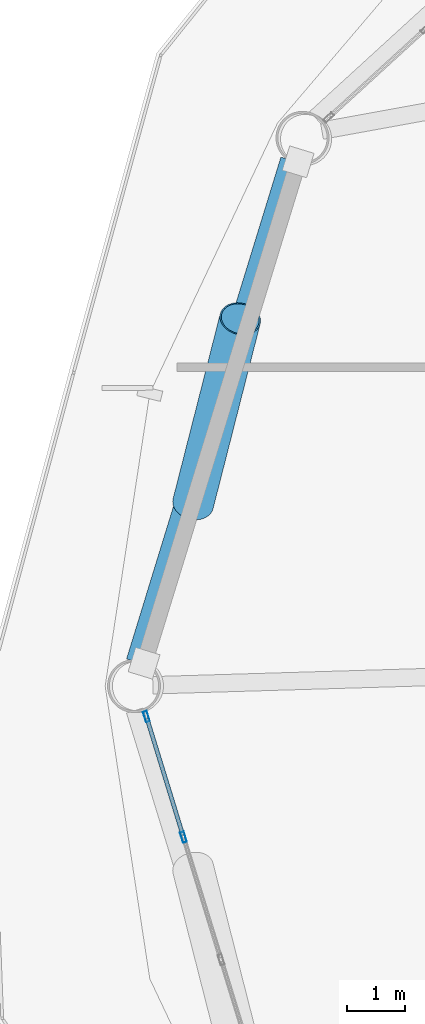
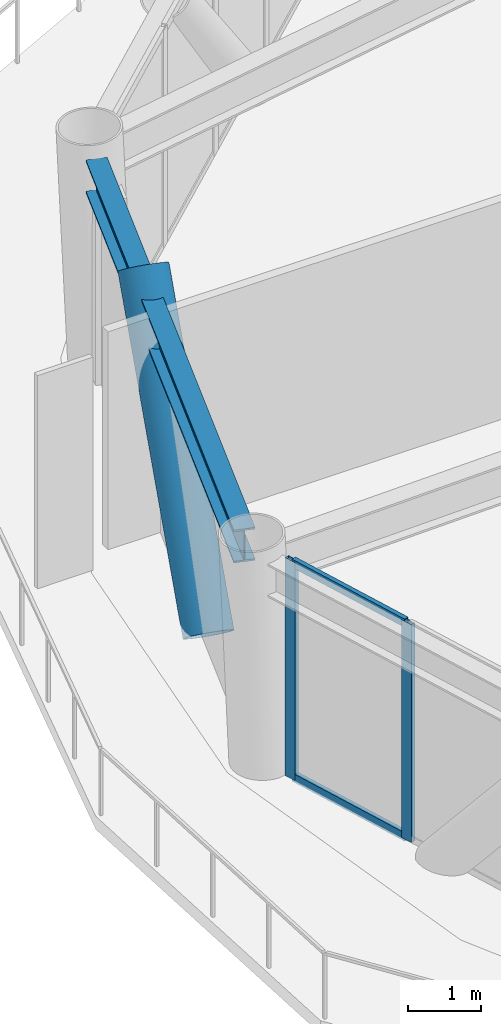
# One storey, part 9 of 24: 5 members, 1 beam, 1 element without a shape of its own.
"""IFC4 building model written with IfcOpenShell, lengths in metres."""

from ifc_helpers import new_model, si_unit, direction, frame, origin, origin_2d, place, context, subcontext, project, spatial, hollow_rectangle, hollow_circle, i_section, extrude, material, layer, layer_set, material_profile, profile_set, type_object, element, aggregate, save


model = new_model("IFC4")

# Units and contexts
model_context = context("Model", 3, precision=1e-05, world=origin(), true_north=direction((0.0, 1.0)))
body_context = subcontext(model_context, "Body", "Model", "MODEL_VIEW")
ifc_project = project(units=[si_unit("LENGTHUNIT", "METRE"), si_unit("AREAUNIT", "SQUARE_METRE"), si_unit("VOLUMEUNIT", "CUBIC_METRE"), si_unit("PLANEANGLEUNIT", "RADIAN"), si_unit("MASSUNIT", "GRAM", prefix="KILO")], contexts=[model_context])

# Site, building, storey
site_placement = place(None, origin())
site = spatial("IfcSite", under=ifc_project, at=site_placement, CompositionType="ELEMENT")
building_placement = place(site_placement, origin())
building = spatial("IfcBuilding", under=site, at=building_placement, Name="Varnakorn Sky Granary", CompositionType="ELEMENT")
storey_placement = place(building_placement, frame((0.0, 0.0, 43.199951171875)))
storey = spatial("IfcBuildingStorey", under=building, at=storey_placement, Name="L10", CompositionType="ELEMENT", Elevation=43.199951171875)

# Beam
ifc_material_1 = material(Name="Steel S355JR", Category="steel")
ifc_material_profile_1 = material_profile(ifc_material_1, i_section(OverallWidth=0.300048828125, OverallDepth=0.550048828125, WebThickness=0.014892578125, FlangeThickness=0.029052734375, at=origin_2d()), Name="HE 550 B")
ifc_profile_set_1 = profile_set([ifc_material_profile_1], Name="Steel S355JR")
beam_type = type_object("IfcBeamType", Name="BM-SPD-Z1", PredefinedType="SPANDREL", material=ifc_profile_set_1)
beam_placement = place(storey_placement, frame((-19.65625, 9.0849609375, 3.364990234375), z_axis=(-0.293932510613, -0.95582617625, 0.0), x_axis=(0.95582617625, -0.293932510613, 0.0)))
element("IfcBeam", 1, at=beam_placement, inside=storey, type_object=beam_type, Name="Perimeter Spandrel Ring Beam RB06 L10", PredefinedType="SPANDREL", context=body_context, shape_type="SweptSolid", body=[
    extrude(i_section(OverallWidth=0.300048828125, OverallDepth=0.550048828125, WebThickness=0.014892578125, FlangeThickness=0.029052734375, at=origin_2d()), origin(), (0.0, 0.0, 1.0), 9.062744140625),
])

# Curtain wall, members
ifc_material_2 = material(Name="Anodised Bronze Aluminium Alloy 6063-T6", Category="aluminium")
ifc_layer = layer(ifc_material_2, 0.18994140625, Name="Anodised Bronze Aluminium Alloy 6063-T6")
ifc_layer_set = layer_set([ifc_layer], Name="Anodised Bronze Aluminium Alloy 6063-T6")
curtain_wall_type = type_object("IfcCurtainWallType", Name="CW-FRM-1", PredefinedType="USERDEFINED", material=ifc_layer_set)
curtain_wall_placement = place(storey_placement, origin())
curtain_wall = element("IfcCurtainWall", 2, at=curtain_wall_placement, inside=storey, type_object=curtain_wall_type, Name="Unitised Curtain Wall CW3 CW-L10-B07", ObjectType="CURTAIN WALL", PredefinedType="USERDEFINED")
ifc_material_profile_2 = material_profile(ifc_material_2, hollow_rectangle(XDim=0.070068359375, YDim=0.18505859375, WallThickness=0.00390625, at=origin_2d()), Name="ALU MULL 70x185")
ifc_profile_set_2 = profile_set([ifc_material_profile_2], Name="Anodised Bronze Aluminium Alloy 6063-T6")
member_type_1 = type_object("IfcMemberType", Name="CW-FRM-1-MULL", PredefinedType="MULLION", material=ifc_profile_set_2)
member_1_placement = place(storey_placement, frame((-21.480712890625, -2.607666015625, 0.0), z_axis=(0.0, 0.0, 1.0), x_axis=(-0.955890425836, -0.293723498881, 0.0)))
member_1 = element("IfcMember", 3, at=member_1_placement, type_object=member_type_1, Name="CW3 mullion 4", PredefinedType="MULLION", context=body_context, shape_type="SweptSolid", body=[
    extrude(hollow_rectangle(XDim=0.070068359375, YDim=0.18505859375, WallThickness=0.00390625, at=origin_2d()), origin(), (0.0, 0.0, 1.0), 3.64013671875),
])
member_2_placement = place(storey_placement, frame((-22.119873046875, -0.527587890625, 0.0), z_axis=(0.0, 0.0, 1.0), x_axis=(-0.955890425836, -0.293723498881, 0.0)))
member_2 = element("IfcMember", 4, at=member_2_placement, type_object=member_type_1, Name="CW3 mullion 5", PredefinedType="MULLION", context=body_context, shape_type="SweptSolid", body=[
    extrude(hollow_rectangle(XDim=0.070068359375, YDim=0.18505859375, WallThickness=0.00390625, at=origin_2d()), origin(), (0.0, 0.0, 1.0), 3.64013671875),
])
ifc_material_profile_3 = material_profile(ifc_material_2, hollow_rectangle(XDim=0.070068359375, YDim=0.139892578125, WallThickness=0.00341796875, at=origin_2d()), Name="ALU TRAN 70x140")
ifc_profile_set_3 = profile_set([ifc_material_profile_3], Name="Anodised Bronze Aluminium Alloy 6063-T6")
member_type_2 = type_object("IfcMemberType", Name="CW-FRM-1-TRAN", PredefinedType="USERDEFINED", material=ifc_profile_set_3)
member_3_placement = place(storey_placement, frame((-21.490966796875, -2.57421875, 0.03515625), z_axis=(-0.293743706522, 0.955884216251, 0.0), x_axis=(-0.955884216251, -0.293743706522, 0.0)))
member_3 = element("IfcMember", 5, at=member_3_placement, type_object=member_type_2, Name="CW3 transom 4.1", ObjectType="TRANSOM", PredefinedType="USERDEFINED", context=body_context, shape_type="SweptSolid", body=[
    extrude(hollow_rectangle(XDim=0.070068359375, YDim=0.139892578125, WallThickness=0.00341796875, at=origin_2d()), origin(), (0.0, 0.0, 1.0), 2.106201171875),
])
member_4_placement = place(storey_placement, frame((-21.490966796875, -2.57421875, 3.60498046875), z_axis=(-0.293743706522, 0.955884216251, 0.0), x_axis=(-0.955884216251, -0.293743706522, 0.0)))
member_4 = element("IfcMember", 6, at=member_4_placement, type_object=member_type_2, Name="CW3 transom 4.2", ObjectType="TRANSOM", PredefinedType="USERDEFINED", context=body_context, shape_type="SweptSolid", body=[
    extrude(hollow_rectangle(XDim=0.070068359375, YDim=0.139892578125, WallThickness=0.00341796875, at=origin_2d()), origin(), (0.0, 0.0, 1.0), 2.106201171875),
])
aggregate(curtain_wall, [member_1, member_2, member_3, member_4])

# Member
ifc_material_3 = material(Name="Steel S460M", Category="steel")
ifc_material_profile_4 = material_profile(ifc_material_3, hollow_circle(Radius=0.35546875, WallThickness=0.02490234375, at=origin_2d()), Name="CHS 711x25")
ifc_profile_set_4 = profile_set([ifc_material_profile_4], Name="Steel S460M")
member_type_3 = type_object("IfcMemberType", Name="MB-DIAG-T0", PredefinedType="BRACE", material=ifc_profile_set_4)
member_5_placement = place(storey_placement, frame((-21.31494140625, 3.147216796875, -0.1298828125), z_axis=(0.158985265982, 0.623304262642, 0.765647099761), x_axis=(-0.968975905399, 0.247155203779, 0.0)))
element("IfcMember", 7, at=member_5_placement, inside=storey, type_object=member_type_3, Name="Perimeter CHS Diagrid Brace DG06 L10", PredefinedType="BRACE", context=body_context, shape_type="SweptSolid", body=[
    extrude(hollow_circle(Radius=0.35546875, WallThickness=0.02490234375, at=origin_2d()), origin(), (0.0, 0.0, 1.0), 5.11962890625),
])

save(model, "model.ifc")
